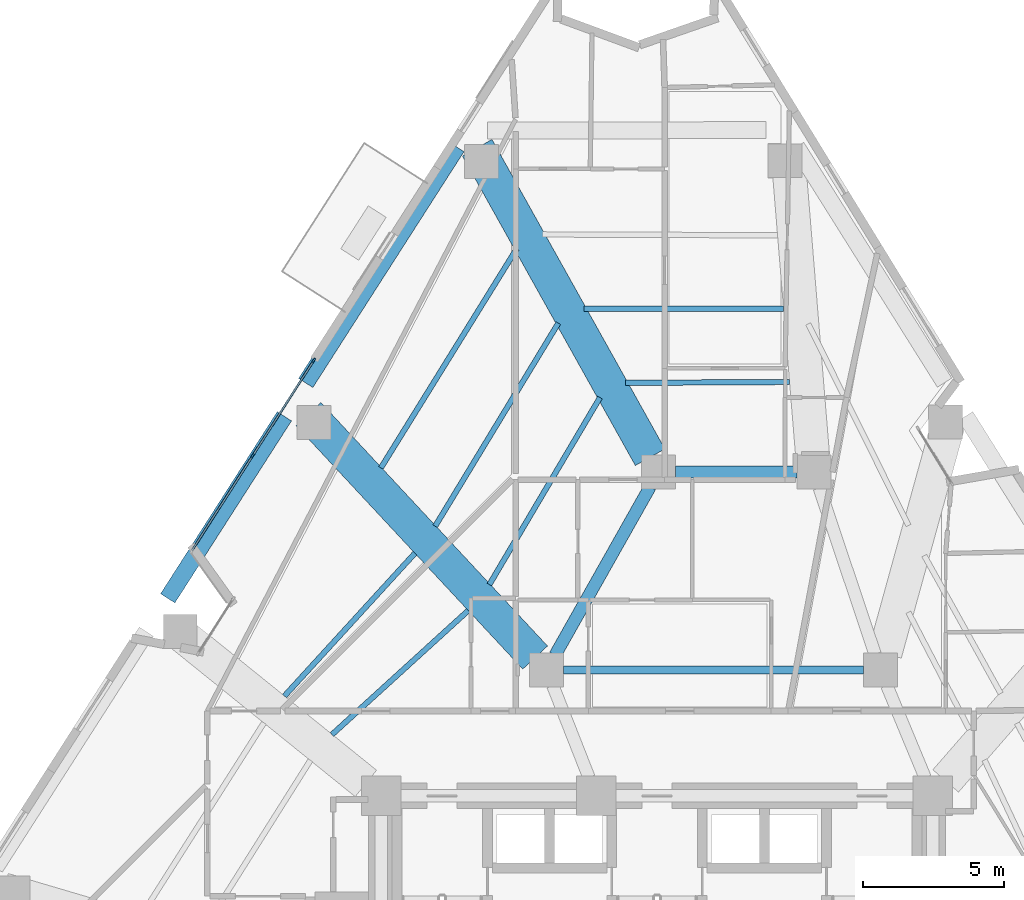
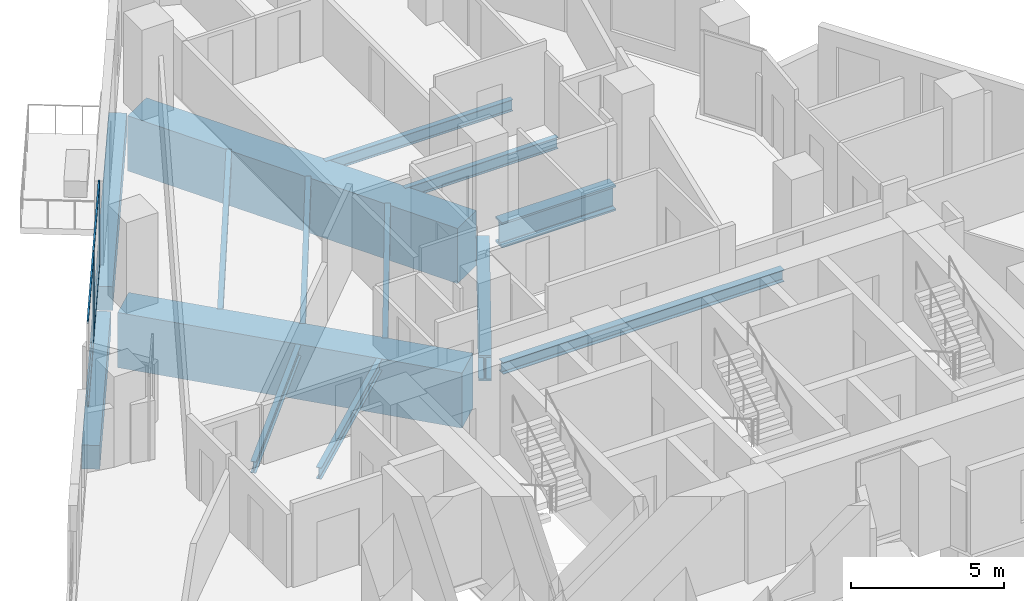
# One storey, part 3 of 13: 14 beams, 6 members, 1 element without a shape of its own.
"""IFC4 building model written with IfcOpenShell, lengths in metres."""

import ifcopenshell
import ifcopenshell.guid

model = None  # the IFC model being written
_history = None  # IfcOwnerHistory: only IFC2X3 demands one
_inside = {}  # id of a spatial element -> (the spatial element, [elements in it])
_under = {}  # id of a project, library or spatial element -> (it, [spatial elements below it])
_declared = {}  # id of a project -> (the project, [libraries it declares])
_typed = {}  # id of a type object -> (the type object, [elements of that type])
_made_of = {}  # id of a material, layer set ... -> (it, [elements and type objects made of it])


def new_model(schema):
    """Start an empty IFC model of exactly this schema.

    Asked for "IFC4X3", IfcOpenShell would pick the latest addendum, in which some entities
    have other attributes; the version numbers below select the first issue.
    IFC2X3 requires an IfcOwnerHistory on every rooted entity: one is made here for all.
    """
    global model, _history
    if schema == "IFC4X3":
        model = ifcopenshell.file(schema_version=(4, 3, 0, 0))
    else:
        model = ifcopenshell.file(schema=schema)
    _inside.clear()
    _under.clear()
    _declared.clear()
    _typed.clear()
    _made_of.clear()
    _history = None
    if model.schema == "IFC2X3":
        org = make("IfcOrganization", Name="unknown")
        user = make(
            "IfcPersonAndOrganization",
            ThePerson=make("IfcPerson", FamilyName="unknown"),
            TheOrganization=org,
        )
        app = make(
            "IfcApplication",
            ApplicationDeveloper=org,
            Version="unknown",
            ApplicationFullName="unknown",
            ApplicationIdentifier="unknown",
        )
        _history = make(
            "IfcOwnerHistory",
            OwningUser=user,
            OwningApplication=app,
            ChangeAction="ADDED",
            CreationDate=0,
        )
    return model


def make(cls, **values):
    """One entity of the class cls with the attributes given. An attribute that is None is left unset."""
    return model.create_entity(
        cls, **{name: value for name, value in values.items() if value is not None}
    )


def rooted(cls, **values):
    """An entity with a GlobalId (a new one), such as an element, a storey or a relation."""
    return make(cls, GlobalId=ifcopenshell.guid.new(), OwnerHistory=_history, **values)


def si_unit(unit_type, name, prefix=None):
    """IfcSIUnit, for example si_unit("LENGTHUNIT", "METRE", prefix="MILLI")."""
    return make("IfcSIUnit", UnitType=unit_type, Prefix=prefix, Name=name)


def assignment(units):
    """IfcUnitAssignment: the units of a project."""
    return None if units is None else make("IfcUnitAssignment", Units=units)


def point(xyz):
    """IfcCartesianPoint."""
    return None if xyz is None else make("IfcCartesianPoint", Coordinates=xyz)


def direction(xyz):
    """IfcDirection."""
    return None if xyz is None else make("IfcDirection", DirectionRatios=xyz)


def frame(location, z_axis=None, x_axis=None):
    """IfcAxis2Placement3D, a coordinate frame: its origin and axes. An axis left out is left unset."""
    return make(
        "IfcAxis2Placement3D",
        Location=point(location),
        Axis=direction(z_axis),
        RefDirection=direction(x_axis),
    )


def frame_2d(location, x_axis=None):
    """IfcAxis2Placement2D, a coordinate frame in the plane: its origin and x axis."""
    return make(
        "IfcAxis2Placement2D", Location=point(location), RefDirection=direction(x_axis)
    )


def origin():
    """The frame at (0, 0, 0) with its axes left unset."""
    return frame((0.0, 0.0, 0.0))


def origin_2d():
    """The frame at (0, 0) in the plane with its x axis left unset."""
    return frame_2d((0.0, 0.0))


def place(relative_to, where):
    """IfcLocalPlacement: puts the frame where relative to a parent placement (None: the world)."""
    return make(
        "IfcLocalPlacement", PlacementRelTo=relative_to, RelativePlacement=where
    )


def context(
    kind, dimensions, precision=None, world=None, true_north=None, identifier=None
):
    """IfcGeometricRepresentationContext, for example the 3D "Model" context."""
    return make(
        "IfcGeometricRepresentationContext",
        ContextIdentifier=identifier,
        ContextType=kind,
        CoordinateSpaceDimension=dimensions,
        Precision=precision,
        WorldCoordinateSystem=world,
        TrueNorth=true_north,
    )


def subcontext(parent, identifier, kind, view, scale=None):
    """IfcGeometricRepresentationSubContext, for example "Body" below "Model"."""
    return make(
        "IfcGeometricRepresentationSubContext",
        ContextIdentifier=identifier,
        ContextType=kind,
        ParentContext=parent,
        TargetScale=scale,
        TargetView=view,
    )


def project(units=None, contexts=None):
    """IfcProject with its units and contexts."""
    return rooted(
        "IfcProject",
        Name="project",
        RepresentationContexts=contexts,
        UnitsInContext=assignment(units),
    )


def spatial(cls, under=None, at=None, **own):
    """A site, building, storey or space (cls), placed at a placement, below another one or the project."""
    s = rooted(cls, ObjectPlacement=at, **own)
    if under is not None:
        _under.setdefault(under.id(), (under, []))[1].append(s)
    return s


def profile(cls, at=None, kind="AREA", **sizes):
    """A parametric profile (cls). Its sizes go by their IFC names, for example OverallWidth=200.0."""
    return make(cls, ProfileType=kind, Position=at, **sizes)


def rectangle(**sizes):
    """IfcRectangleProfileDef."""
    return profile("IfcRectangleProfileDef", **sizes)


def i_section(**sizes):
    """IfcIShapeProfileDef."""
    return profile("IfcIShapeProfileDef", **sizes)


def extrude(swept, where, along, depth):
    """IfcExtrudedAreaSolid: the profile swept, set in the frame where, extruded along a direction by depth."""
    return make(
        "IfcExtrudedAreaSolid",
        SweptArea=swept,
        Position=where,
        ExtrudedDirection=direction(along),
        Depth=depth,
    )


def shape(context_of_items, identifier, shape_type, items):
    """IfcShapeRepresentation: the items that make up one representation, for example the "Body"."""
    return make(
        "IfcShapeRepresentation",
        ContextOfItems=context_of_items,
        RepresentationIdentifier=identifier,
        RepresentationType=shape_type,
        Items=items,
    )


def material(Name=None, Category=None):
    """IfcMaterial."""
    return make("IfcMaterial", Name=Name, Category=Category)


def layer(
    of_material, thickness, ventilated=None, Name=None, Category=None, Priority=None
):
    """IfcMaterialLayer: one layer of a wall or slab, of a material (None: an air gap)."""
    return make(
        "IfcMaterialLayer",
        Material=of_material,
        LayerThickness=thickness,
        IsVentilated=ventilated,
        Name=Name,
        Category=Category,
        Priority=Priority,
    )


def layer_set(layers, Name=None):
    """IfcMaterialLayerSet."""
    return make("IfcMaterialLayerSet", MaterialLayers=layers, LayerSetName=Name)


def material_profile(
    of_material, cross_section, Name=None, Category=None, Priority=None
):
    """IfcMaterialProfile: a cross section and its material."""
    return make(
        "IfcMaterialProfile",
        Name=Name,
        Material=of_material,
        Profile=cross_section,
        Priority=Priority,
        Category=Category,
    )


def profile_set(profiles, Name=None, composite=None):
    """IfcMaterialProfileSet."""
    return make(
        "IfcMaterialProfileSet",
        Name=Name,
        MaterialProfiles=profiles,
        CompositeProfile=composite,
    )


def made_of(thing, what):
    """Note that an element or type object is made of a material, layer set ...; save() writes the relation."""
    if what is not None:
        _made_of.setdefault(what.id(), (what, []))[1].append(thing)
    return thing


def type_object(cls, material=None, **own):
    """A type object (cls), such as IfcWallType, which elements share."""
    return made_of(rooted(cls, **own), material)


def element(
    cls,
    number,
    at=None,
    inside=None,
    cuts=None,
    type_object=None,
    material=None,
    context=None,
    identifier="Body",
    shape_type=None,
    held_by="IfcProductDefinitionShape",
    body=None,
    shapes=None,
    **own,
):
    """One element of the class cls, such as IfcWall. Its Tag is "e" and its number.

    at: its placement. inside: the storey or other place that contains it. cuts: it is an
    opening in that element (IfcRelVoidsElement). A single representation is given by context,
    identifier, shape_type and body (its items); several are given by shapes. held_by: the class
    of the entity that holds the representations. save() writes the other relations.
    """
    e = rooted(cls, Tag="e%d" % number, ObjectPlacement=at, **own)
    if body is not None:
        shapes = [shape(context, identifier, shape_type, body)]
    if shapes is not None:
        e.Representation = make(held_by, Representations=shapes)
    if inside is not None:
        _inside.setdefault(inside.id(), (inside, []))[1].append(e)
    if cuts is not None:
        rooted(
            "IfcRelVoidsElement", RelatingBuildingElement=cuts, RelatedOpeningElement=e
        )
    if type_object is not None:
        _typed.setdefault(type_object.id(), (type_object, []))[1].append(e)
    return made_of(e, material)


def aggregate(whole, parts):
    """IfcRelAggregates: a whole, such as a stair, and the parts it consists of."""
    return rooted("IfcRelAggregates", RelatingObject=whole, RelatedObjects=parts)


def save(model, path):
    """Write the relations noted so far, then the file.

    IfcRelAggregates (storeys below a building ...), IfcRelContainedInSpatialStructure (elements
    in a storey), IfcRelDefinesByType, IfcRelAssociatesMaterial and IfcRelDeclares: one each for
    every whole, place, type object, material and project.
    """
    for whole, parts in _under.values():
        aggregate(whole, parts)
    for where, things in _inside.values():
        rooted(
            "IfcRelContainedInSpatialStructure",
            RelatedElements=things,
            RelatingStructure=where,
        )
    for kind, things in _typed.values():
        rooted("IfcRelDefinesByType", RelatedObjects=things, RelatingType=kind)
    for what, things in _made_of.values():
        rooted("IfcRelAssociatesMaterial", RelatedObjects=things, RelatingMaterial=what)
    for by, libraries in _declared.values():
        rooted("IfcRelDeclares", RelatingContext=by, RelatedDefinitions=libraries)
    model.write(path)


model = new_model("IFC4")

# Units and contexts
model_context = context("Model", 3, precision=1e-05, world=origin(), true_north=direction((0.0, 1.0)))
body_context = subcontext(model_context, "Body", "Model", "MODEL_VIEW")
ifc_project = project(units=[si_unit("LENGTHUNIT", "METRE"), si_unit("AREAUNIT", "SQUARE_METRE"), si_unit("VOLUMEUNIT", "CUBIC_METRE"), si_unit("PLANEANGLEUNIT", "RADIAN"), si_unit("MASSUNIT", "GRAM", prefix="KILO")], contexts=[model_context])

# Site, building, storey
site_placement = place(None, origin())
site = spatial("IfcSite", under=ifc_project, at=site_placement, CompositionType="ELEMENT")
building_placement = place(site_placement, origin())
building = spatial("IfcBuilding", under=site, at=building_placement, Name="Almagre Mirador Tower", CompositionType="ELEMENT")
storey_placement = place(building_placement, frame((0.0, 0.0, 75.0)))
storey = spatial("IfcBuildingStorey", under=building, at=storey_placement, Name="L18", CompositionType="ELEMENT", Elevation=75.0)

# Beams
ifc_material_1 = material(Name="Steel ASTM A992 Grade 50", Category="steel")
ifc_material_profile_1 = material_profile(ifc_material_1, i_section(OverallWidth=0.281982421875, OverallDepth=0.467041015625, WebThickness=0.01220703125, FlangeThickness=0.01953125, FilletRadius=0.01611328125, at=origin_2d()), Name="W18X86")
ifc_profile_set_1 = profile_set([ifc_material_profile_1], Name="Steel ASTM A992 Grade 50")
beam_type_1 = type_object("IfcBeamType", Name="BM-BAL-W18X86", PredefinedType="JOIST", material=ifc_profile_set_1)
beam_1_placement = place(storey_placement, frame((34.0, 19.199951171875, -0.4833984375), z_axis=(1.0, 0.0, 0.0), x_axis=(0.0, 1.0, 0.0)))
element("IfcBeam", 1, at=beam_1_placement, inside=storey, type_object=beam_type_1, Name="L18 secondary header beam BB-01", PredefinedType="JOIST", context=body_context, shape_type="SweptSolid", body=[
    extrude(i_section(OverallWidth=0.281982421875, OverallDepth=0.467041015625, WebThickness=0.01220703125, FlangeThickness=0.01953125, FilletRadius=0.01611328125, at=origin_2d()), origin(), (0.0, 0.0, 1.0), 10.60009765625),
])
ifc_material_2 = material(Name="Steel ASTM A992 Grade 50", Category="steel")
ifc_material_profile_2 = material_profile(ifc_material_2, i_section(OverallWidth=0.19091796875, OverallDepth=0.4599609375, WebThickness=0.010009765625, FlangeThickness=0.01611328125, FilletRadius=0.01611328125, at=origin_2d()), Name="W18X55")
ifc_profile_set_2 = profile_set([ifc_material_profile_2], Name="Steel ASTM A992 Grade 50")
beam_type_2 = type_object("IfcBeamType", Name="BM-JST-W18X55", PredefinedType="JOIST", material=ifc_profile_set_2)
beam_2_placement = place(storey_placement, frame((41.777587890625, 31.979248046875, -0.47998046875), z_axis=(-0.999999985035, -0.000173004392, 0.0), x_axis=(0.000173004392, -0.999999985035, 0.0)))
element("IfcBeam", 2, at=beam_2_placement, inside=storey, type_object=beam_type_2, Name="L18 secondary floor joist PC08-PC09.2", PredefinedType="JOIST", context=body_context, shape_type="SweptSolid", body=[
    extrude(i_section(OverallWidth=0.19091796875, OverallDepth=0.4599609375, WebThickness=0.010009765625, FlangeThickness=0.01611328125, FilletRadius=0.01611328125, at=origin_2d()), origin(), (0.0, 0.0, 1.0), 7.055908203125),
])
beam_3_placement = place(storey_placement, frame((41.989501953125, 29.385498046875, -0.47998046875), z_axis=(-0.999985257993, -0.005429898484, 0.0), x_axis=(0.005429898484, -0.999985257993, 0.0)))
element("IfcBeam", 3, at=beam_3_placement, inside=storey, type_object=beam_type_2, Name="L18 secondary floor joist PC08-PC09.3", PredefinedType="JOIST", context=body_context, shape_type="SweptSolid", body=[
    extrude(i_section(OverallWidth=0.19091796875, OverallDepth=0.4599609375, WebThickness=0.010009765625, FlangeThickness=0.01611328125, FilletRadius=0.01611328125, at=origin_2d()), origin(), (0.0, 0.0, 1.0), 5.800048828125),
])
beam_4_placement = place(storey_placement, frame((32.337890625, 34.094970703125, -0.47998046875), z_axis=(-0.52674925624, -0.850020718013, 0.0), x_axis=(0.850020718013, -0.52674925624, 0.0)))
element("IfcBeam", 4, at=beam_4_placement, inside=storey, type_object=beam_type_2, Name="L18 secondary floor joist PC09-PC10.1", PredefinedType="JOIST", context=body_context, shape_type="SweptSolid", body=[
    extrude(i_section(OverallWidth=0.19091796875, OverallDepth=0.4599609375, WebThickness=0.010009765625, FlangeThickness=0.01611328125, FilletRadius=0.01611328125, at=origin_2d()), origin(), (0.0, 0.0, 1.0), 9.114013671875),
])
beam_5_placement = place(storey_placement, frame((33.810546875, 31.46484375, -0.47998046875), z_axis=(-0.518594206468, -0.855020496256, 0.0), x_axis=(0.855020496256, -0.518594206468, 0.0)))
element("IfcBeam", 5, at=beam_5_placement, inside=storey, type_object=beam_type_2, Name="L18 secondary floor joist PC09-PC10.2", PredefinedType="JOIST", context=body_context, shape_type="SweptSolid", body=[
    extrude(i_section(OverallWidth=0.19091796875, OverallDepth=0.4599609375, WebThickness=0.010009765625, FlangeThickness=0.01611328125, FilletRadius=0.01611328125, at=origin_2d()), origin(), (0.0, 0.0, 1.0), 8.397705078125),
])
beam_6_placement = place(storey_placement, frame((35.283935546875, 28.83447265625, -0.47998046875), z_axis=(-0.509040842496, -0.860742366026, 0.0), x_axis=(0.860742366026, -0.509040842496, 0.0)))
element("IfcBeam", 6, at=beam_6_placement, inside=storey, type_object=beam_type_2, Name="L18 secondary floor joist PC09-PC10.3", PredefinedType="JOIST", context=body_context, shape_type="SweptSolid", body=[
    extrude(i_section(OverallWidth=0.19091796875, OverallDepth=0.4599609375, WebThickness=0.010009765625, FlangeThickness=0.01611328125, FilletRadius=0.01611328125, at=origin_2d()), origin(), (0.0, 0.0, 1.0), 7.682373046875),
])
beam_7_placement = place(storey_placement, frame((28.739501953125, 23.328857421875, -0.47998046875), z_axis=(-0.674527494557, -0.738249726777, 0.0), x_axis=(0.738249726777, -0.674527494557, 0.0)))
element("IfcBeam", 7, at=beam_7_placement, inside=storey, type_object=beam_type_2, Name="L18 secondary floor joist PC10-PC11.2", PredefinedType="JOIST", context=body_context, shape_type="SweptSolid", body=[
    extrude(i_section(OverallWidth=0.19091796875, OverallDepth=0.4599609375, WebThickness=0.010009765625, FlangeThickness=0.01611328125, FilletRadius=0.01611328125, at=origin_2d()), origin(), (0.0, 0.0, 1.0), 6.8388671875),
])
beam_8_placement = place(storey_placement, frame((30.6240234375, 21.301513671875, -0.47998046875), z_axis=(-0.739536278899, -0.673116700277, 0.0), x_axis=(0.673116700277, -0.739536278899, 0.0)))
element("IfcBeam", 8, at=beam_8_placement, inside=storey, type_object=beam_type_2, Name="L18 secondary floor joist PC10-PC11.3", PredefinedType="JOIST", context=body_context, shape_type="SweptSolid", body=[
    extrude(i_section(OverallWidth=0.19091796875, OverallDepth=0.4599609375, WebThickness=0.010009765625, FlangeThickness=0.01611328125, FilletRadius=0.01611328125, at=origin_2d()), origin(), (0.0, 0.0, 1.0), 6.513427734375),
])
ifc_material_3 = material(Name="Precast concrete C50/60", Category="concrete")
ifc_material_profile_3 = material_profile(ifc_material_3, rectangle(XDim=0.60009765625, YDim=0.949951171875, at=origin_2d()), Name="RC600X950")
ifc_profile_set_3 = profile_set([ifc_material_profile_3], Name="Precast concrete C50/60")
beam_type_3 = type_object("IfcBeamType", Name="BM-SPN-RC600X950", PredefinedType="SPANDREL", material=ifc_profile_set_3)
beam_9_placement = place(storey_placement, frame((30.222412109375, 37.691650390625, -0.72509765625), z_axis=(-0.539503978712, -0.841983050277, 0.0), x_axis=(0.841983050277, -0.539503978712, 0.0)))
element("IfcBeam", 9, at=beam_9_placement, inside=storey, type_object=beam_type_3, Name="L18 perimeter spandrel beam PC09-PC10", PredefinedType="SPANDREL", context=body_context, shape_type="SweptSolid", body=[
    extrude(rectangle(XDim=0.60009765625, YDim=0.949951171875, at=origin_2d()), origin(), (0.0, 0.0, 1.0), 9.90673828125),
])
beam_10_placement = place(storey_placement, frame((24.122314453125, 28.171630859375, -0.72509765625), z_axis=(-0.539486777129, -0.841994072012, 0.0), x_axis=(0.841994072012, -0.539486777129, 0.0)))
element("IfcBeam", 10, at=beam_10_placement, inside=storey, type_object=beam_type_3, Name="L18 perimeter spandrel beam PC10-PC11", PredefinedType="SPANDREL", context=body_context, shape_type="SweptSolid", body=[
    extrude(rectangle(XDim=0.60009765625, YDim=0.949951171875, at=origin_2d()), origin(), (0.0, 0.0, 1.0), 7.645263671875),
])
ifc_material_4 = material(Name="Steel ASTM A992 Grade 50", Category="steel")
ifc_material_profile_4 = material_profile(ifc_material_4, i_section(OverallWidth=0.43701171875, OverallDepth=1.010986328125, WebThickness=0.041015625, FlangeThickness=0.073974609375, FilletRadius=0.028076171875, at=origin_2d()), Name="W36X529")
ifc_profile_set_4 = profile_set([ifc_material_profile_4], Name="Steel ASTM A992 Grade 50")
beam_type_4 = type_object("IfcBeamType", Name="BM-STL-W36X529", PredefinedType="BEAM", material=ifc_profile_set_4)
beam_11_placement = place(storey_placement, frame((37.949951171875, 26.199951171875, -0.755615234375), z_axis=(1.0, 0.0, 0.0), x_axis=(0.0, 1.0, 0.0)))
element("IfcBeam", 11, at=beam_11_placement, inside=storey, type_object=beam_type_4, Name="L18 core tie girder MC7-MC6", PredefinedType="BEAM", context=body_context, shape_type="SweptSolid", body=[
    extrude(i_section(OverallWidth=0.43701171875, OverallDepth=1.010986328125, WebThickness=0.041015625, FlangeThickness=0.073974609375, FilletRadius=0.028076171875, at=origin_2d()), origin(), (0.0, 0.0, 1.0), 4.300048828125),
])
beam_12_placement = place(storey_placement, frame((37.05517578125, 25.677490234375, -0.755615234375), z_axis=(-0.491440637516, -0.870911074564, 0.0), x_axis=(0.870911074564, -0.491440637516, 0.0)))
element("IfcBeam", 12, at=beam_12_placement, inside=storey, type_object=beam_type_4, Name="L18 core tie girder MC7-MC8", PredefinedType="BEAM", context=body_context, shape_type="SweptSolid", body=[
    extrude(i_section(OverallWidth=0.43701171875, OverallDepth=1.010986328125, WebThickness=0.041015625, FlangeThickness=0.073974609375, FilletRadius=0.028076171875, at=origin_2d()), origin(), (0.0, 0.0, 1.0), 6.837646484375),
])
ifc_material_5 = material(Name="Concrete C60/75", Category="concrete")
ifc_material_profile_5 = material_profile(ifc_material_5, rectangle(XDim=1.199951171875, YDim=2.199951171875, at=origin_2d()), Name="RC1200X2200")
ifc_profile_set_5 = profile_set([ifc_material_profile_5], Name="Concrete C60/75")
beam_type_5 = type_object("IfcBeamType", Name="BM-XFER-RC1200X2200", PredefinedType="BEAM", material=ifc_profile_set_5)
beam_13_placement = place(storey_placement, frame((30.94140625, 37.669921875, -1.35009765625), z_axis=(0.487764189082, -0.87297542683, 0.0), x_axis=(0.87297542683, 0.487764189082, 0.0)))
element("IfcBeam", 13, at=beam_13_placement, inside=storey, type_object=beam_type_5, Name="L18 radial transfer girder PC09-MC7", PredefinedType="BEAM", context=body_context, shape_type="SweptSolid", body=[
    extrude(rectangle(XDim=1.199951171875, YDim=2.199951171875, at=origin_2d()), origin(), (0.0, 0.0, 1.0), 12.538818359375),
])
beam_14_placement = place(storey_placement, frame((24.976806640625, 28.24853515625, -1.35009765625), z_axis=(0.681362933779, -0.731945730551, 0.0), x_axis=(0.731945730551, 0.681362933779, 0.0)))
element("IfcBeam", 14, at=beam_14_placement, inside=storey, type_object=beam_type_5, Name="L18 radial transfer girder PC10-MC8", PredefinedType="BEAM", context=body_context, shape_type="SweptSolid", body=[
    extrude(rectangle(XDim=1.199951171875, YDim=2.199951171875, at=origin_2d()), origin(), (0.0, 0.0, 1.0), 11.76220703125),
])

# Curtain wall, members
ifc_material_6 = material(Name="Black anodized aluminium", Category="aluminium")
ifc_layer = layer(ifc_material_6, 0.18994140625)
ifc_layer_set = layer_set([ifc_layer], Name="Black anodized aluminium")
curtain_wall_type = type_object("IfcCurtainWallType", Name="CW-RES-L-SYS", PredefinedType="NOTDEFINED", material=ifc_layer_set)
curtain_wall_placement = place(storey_placement, origin())
curtain_wall = element("IfcCurtainWall", 15, at=curtain_wall_placement, inside=storey, type_object=curtain_wall_type, Name="L18 curtain wall run 02", PredefinedType="NOTDEFINED")
ifc_material_7 = material(Name="Black anodized aluminium", Category="aluminium")
ifc_material_profile_6 = material_profile(ifc_material_7, rectangle(XDim=0.06494140625, YDim=0.179931640625, at=origin_2d()), Name="CWM65X180")
ifc_profile_set_6 = profile_set([ifc_material_profile_6], Name="Black anodized aluminium")
member_type_1 = type_object("IfcMemberType", Name="MBR-CWM65X180", PredefinedType="MULLION", material=ifc_profile_set_6)
member_1_placement = place(storey_placement, frame((23.00390625, 26.7783203125, 0.0), z_axis=(0.0, 0.0, 1.0), x_axis=(-0.8420145831, 0.539454763486, 0.0)))
member_1 = element("IfcMember", 16, at=member_1_placement, type_object=member_type_1, Name="CW-2 mullion 2", PredefinedType="MULLION", context=body_context, shape_type="SweptSolid", body=[
    extrude(rectangle(XDim=0.06494140625, YDim=0.179931640625, at=origin_2d()), origin(), (0.0, 0.0, 1.0), 3.35009765625),
])
member_2_placement = place(storey_placement, frame((25.15966796875, 30.143310546875, 0.0), z_axis=(0.0, 0.0, 1.0), x_axis=(-0.8420145831, 0.539454763486, 0.0)))
member_2 = element("IfcMember", 17, at=member_2_placement, type_object=member_type_1, Name="CW-2 mullion 3", PredefinedType="MULLION", context=body_context, shape_type="SweptSolid", body=[
    extrude(rectangle(XDim=0.06494140625, YDim=0.179931640625, at=origin_2d()), origin(), (0.0, 0.0, 1.0), 3.35009765625),
])
ifc_material_8 = material(Name="Black anodized aluminium", Category="aluminium")
ifc_material_profile_7 = material_profile(ifc_material_8, rectangle(XDim=0.06005859375, YDim=0.1298828125, at=origin_2d()), Name="CWT60X130")
ifc_profile_set_7 = profile_set([ifc_material_profile_7], Name="Black anodized aluminium")
member_type_2 = type_object("IfcMemberType", Name="MBR-CWT60X130", PredefinedType="USERDEFINED", material=ifc_profile_set_7)
member_3_placement = place(storey_placement, frame((20.865478515625, 23.44091796875, 0.030029296875), z_axis=(0.539488909489, 0.841992705751, 0.0), x_axis=(-0.841992705751, 0.539488909489, 0.0)))
member_3 = element("IfcMember", 18, at=member_3_placement, type_object=member_type_2, Name="CW-2 transom 1.1", ObjectType="TRANSOM", PredefinedType="USERDEFINED", context=body_context, shape_type="SweptSolid", body=[
    extrude(rectangle(XDim=0.06005859375, YDim=0.1298828125, at=origin_2d()), origin(), (0.0, 0.0, 1.0), 3.93115234375),
])
member_4_placement = place(storey_placement, frame((20.865478515625, 23.44091796875, 3.320068359375), z_axis=(0.539488909489, 0.841992705751, 0.0), x_axis=(-0.841992705751, 0.539488909489, 0.0)))
member_4 = element("IfcMember", 19, at=member_4_placement, type_object=member_type_2, Name="CW-2 transom 1.2", ObjectType="TRANSOM", PredefinedType="USERDEFINED", context=body_context, shape_type="SweptSolid", body=[
    extrude(rectangle(XDim=0.06005859375, YDim=0.1298828125, at=origin_2d()), origin(), (0.0, 0.0, 1.0), 3.93115234375),
])
member_5_placement = place(storey_placement, frame((23.021484375, 26.8056640625, 0.030029296875), z_axis=(0.539416670791, 0.842038986789, 0.0), x_axis=(-0.842038986789, 0.539416670791, 0.0)))
member_5 = element("IfcMember", 20, at=member_5_placement, type_object=member_type_2, Name="CW-2 transom 2.1", ObjectType="TRANSOM", PredefinedType="USERDEFINED", context=body_context, shape_type="SweptSolid", body=[
    extrude(rectangle(XDim=0.06005859375, YDim=0.1298828125, at=origin_2d()), origin(), (0.0, 0.0, 1.0), 3.931396484375),
])
member_6_placement = place(storey_placement, frame((23.021484375, 26.8056640625, 3.320068359375), z_axis=(0.539416670791, 0.842038986789, 0.0), x_axis=(-0.842038986789, 0.539416670791, 0.0)))
member_6 = element("IfcMember", 21, at=member_6_placement, type_object=member_type_2, Name="CW-2 transom 2.2", ObjectType="TRANSOM", PredefinedType="USERDEFINED", context=body_context, shape_type="SweptSolid", body=[
    extrude(rectangle(XDim=0.06005859375, YDim=0.1298828125, at=origin_2d()), origin(), (0.0, 0.0, 1.0), 3.931396484375),
])
aggregate(curtain_wall, [member_1, member_2, member_3, member_4, member_5, member_6])

save(model, "model.ifc")
